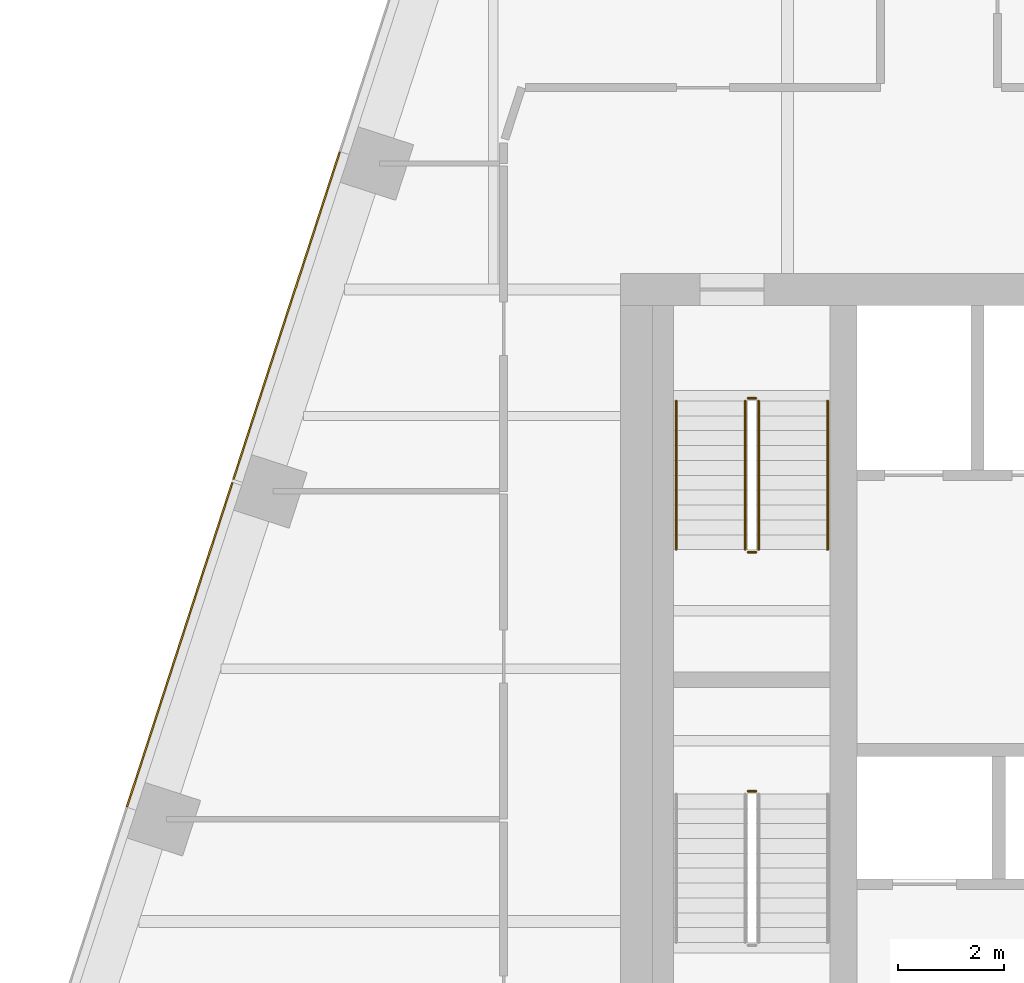
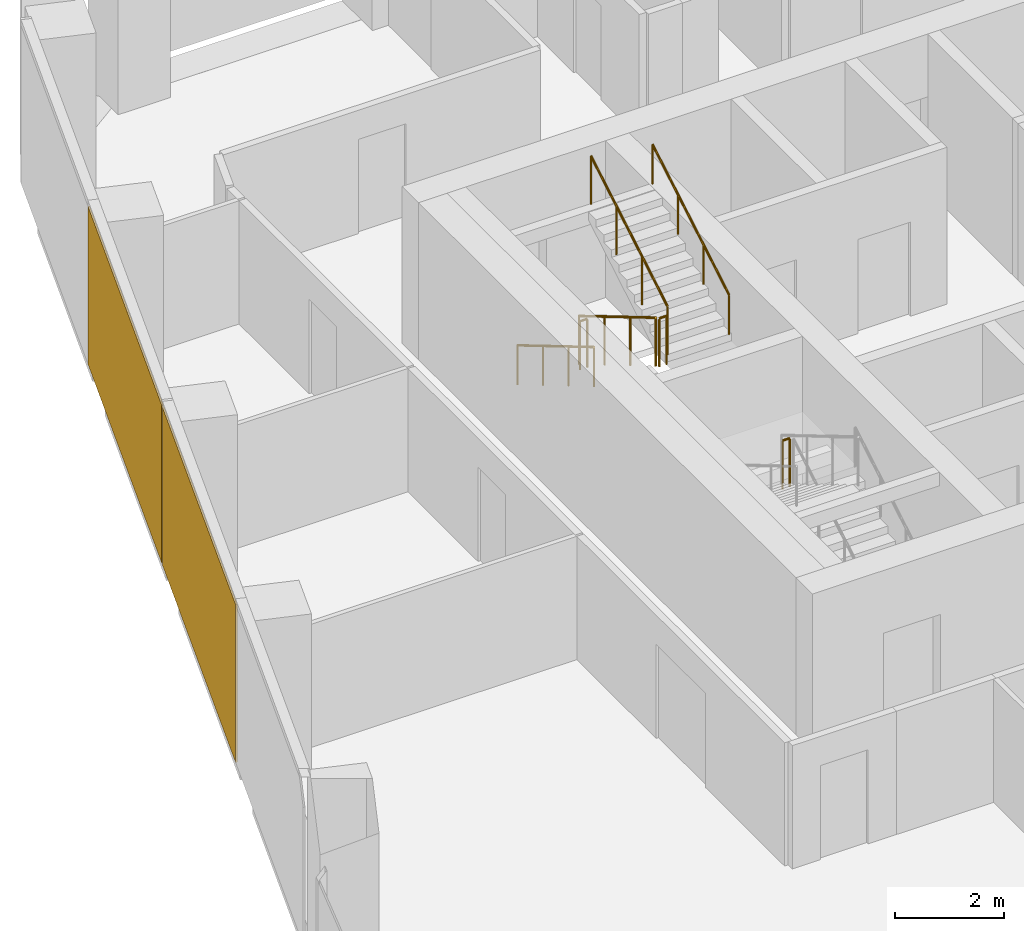
# One storey, part 14 of 15: 7 railings, 2 coverings, 1 element without a shape of its own.
"""IFC4 building model written with IfcOpenShell, lengths in metres."""

from ifc_helpers import new_model, si_unit, direction, frame, origin, origin_2d, place, context, subcontext, project, spatial, rectangle, circle, extrude, material, layer, layer_set, type_object, element, aggregate, save


model = new_model("IFC4")

# Units and contexts
model_context = context("Model", 3, precision=1e-05, world=origin(), true_north=direction((0.0, 1.0)))
body_context = subcontext(model_context, "Body", "Model", "MODEL_VIEW")
ifc_project = project(units=[si_unit("LENGTHUNIT", "METRE"), si_unit("AREAUNIT", "SQUARE_METRE"), si_unit("VOLUMEUNIT", "CUBIC_METRE"), si_unit("PLANEANGLEUNIT", "RADIAN"), si_unit("MASSUNIT", "GRAM", prefix="KILO")], contexts=[model_context])

# Site, building, storey
site_placement = place(None, origin())
site = spatial("IfcSite", under=ifc_project, at=site_placement, CompositionType="ELEMENT")
building_placement = place(site_placement, origin())
building = spatial("IfcBuilding", under=site, at=building_placement, Name="Isthmus Gate Tower", CompositionType="ELEMENT")
storey_placement = place(building_placement, frame((0.0, 0.0, 227.25)))
storey = spatial("IfcBuildingStorey", under=building, at=storey_placement, Name="L57", CompositionType="ELEMENT", Elevation=227.25)

# Curtain wall, coverings
ifc_material_1 = material(Name="Aluminium, pale champagne anodised", Category="aluminium")
ifc_layer_1 = layer(ifc_material_1, 0.199951171875)
ifc_layer_set_1 = layer_set([ifc_layer_1], Name="CW-1 UNITISED CURTAIN WALL 200 DEEP")
curtain_wall_type = type_object("IfcCurtainWallType", Name="CW-1 UNITISED CURTAIN WALL 200 DEEP", PredefinedType="NOTDEFINED", material=ifc_layer_set_1)
curtain_wall_placement = place(storey_placement, origin())
curtain_wall = element("IfcCurtainWall", 1, at=curtain_wall_placement, inside=storey, type_object=curtain_wall_type, Name="CW-1 NW L57", PredefinedType="NOTDEFINED")
ifc_material_2 = material(Name="Aluminium composite panel, pale champagne anodised", Category="aluminium")
ifc_layer_2 = layer(ifc_material_2, 0.031982421875)
ifc_layer_set_2 = layer_set([ifc_layer_2], Name="CW-1 PALE METAL PANEL 32")
covering_type = type_object("IfcCoveringType", Name="CW-1 PALE METAL PANEL 32", PredefinedType="CLADDING", material=ifc_layer_set_2)
covering_1_placement = place(storey_placement, frame((-21.288330078125, 14.210693359375, 0.0), z_axis=(0.0, 0.0, 1.0), x_axis=(-0.309016994375, -0.951056516295, 0.0)))
covering_1 = element("IfcCovering", 2, at=covering_1_placement, type_object=covering_type, Name="CW-1 pale metal panel", PredefinedType="CLADDING", context=body_context, shape_type="SweptSolid", body=[
    extrude(rectangle(XDim=6.491943359375, YDim=0.031982421875, at=origin_2d()), origin(), (0.0, 0.0, 1.0), 3.52001953125),
])
covering_2_placement = place(storey_placement, frame((-23.3037109375, 8.0078125, 0.0), z_axis=(0.0, 0.0, 1.0), x_axis=(-0.309016994375, -0.951056516295, 0.0)))
covering_2 = element("IfcCovering", 3, at=covering_2_placement, type_object=covering_type, Name="CW-1 pale metal panel", PredefinedType="CLADDING", context=body_context, shape_type="SweptSolid", body=[
    extrude(rectangle(XDim=6.431884765625, YDim=0.031982421875, at=origin_2d()), origin(), (0.0, 0.0, 1.0), 3.52001953125),
])
aggregate(curtain_wall, [covering_1, covering_2])

# Railings
ifc_material_3 = material(Name="Stainless steel balustrade", Category="steel")
railing_type_1 = type_object("IfcRailingType", Name="STAIR GUARD 1100", PredefinedType="GUARDRAIL", material=ifc_material_3)
railing_1_placement = place(storey_placement, frame((-12.64990234375, 12.60009765625, 0.166015625)))
element("IfcRailing", 4, at=railing_1_placement, inside=storey, type_object=railing_type_1, Name="L57 ST1 stair guard 1", PredefinedType="GUARDRAIL", context=body_context, shape_type="SweptSolid", body=[
    extrude(circle(Radius=0.02392578125, at=origin_2d()), frame((0.0, 0.0, 1.076171875), z_axis=(0.0, -0.860339051648, 0.50972219513), x_axis=(1.0, 0.0, 0.0)), (0.0, 0.0, 1.0), 3.254638671875),
    extrude(circle(Radius=0.02099609375, at=origin_2d()), origin(), (0.0, 0.0, 1.0), 1.052001953125),
    extrude(circle(Radius=0.02099609375, at=origin_2d()), frame((0.0, -0.933349609375, 0.552978515625)), (0.0, 0.0, 1.0), 1.052001953125),
    extrude(circle(Radius=0.02099609375, at=origin_2d()), frame((0.0, -1.86669921875, 1.10595703125)), (0.0, 0.0, 1.0), 1.052001953125),
    extrude(circle(Radius=0.02099609375, at=origin_2d()), frame((0.0, -2.800048828125, 1.658935546875)), (0.0, 0.0, 1.0), 1.052001953125),
])
railing_2_placement = place(storey_placement, frame((-12.60009765625, 9.75, 1.824951171875)))
element("IfcRailing", 5, at=railing_2_placement, inside=storey, type_object=railing_type_1, Name="L57 ST1 stair guard 2", PredefinedType="GUARDRAIL", context=body_context, shape_type="SweptSolid", body=[
    extrude(circle(Radius=0.02392578125, at=origin_2d()), frame((0.0, 0.0, 1.076171875), z_axis=(1.0, 0.0, 0.0), x_axis=(0.0, 1.0, 0.0)), (0.0, 0.0, 1.0), 0.150146484375),
    extrude(circle(Radius=0.02099609375, at=origin_2d()), origin(), (0.0, 0.0, 1.0), 1.052001953125),
    extrude(circle(Radius=0.02099609375, at=origin_2d()), frame((0.150146484375, 0.0, 0.0)), (0.0, 0.0, 1.0), 1.052001953125),
])
railing_3_placement = place(storey_placement, frame((-12.39990234375, 9.800048828125, 1.990966796875)))
element("IfcRailing", 6, at=railing_3_placement, inside=storey, type_object=railing_type_1, Name="L57 ST1 stair guard 3", PredefinedType="GUARDRAIL", context=body_context, shape_type="SweptSolid", body=[
    extrude(circle(Radius=0.02392578125, at=origin_2d()), frame((0.0, 0.0, 1.076171875), z_axis=(0.0, 0.860339051648, 0.50972219513), x_axis=(-1.0, 0.0, 0.0)), (0.0, 0.0, 1.0), 3.254638671875),
    extrude(circle(Radius=0.02099609375, at=origin_2d()), origin(), (0.0, 0.0, 1.0), 1.052001953125),
    extrude(circle(Radius=0.02099609375, at=origin_2d()), frame((0.0, 0.933349609375, 0.552978515625)), (0.0, 0.0, 1.0), 1.052001953125),
    extrude(circle(Radius=0.02099609375, at=origin_2d()), frame((0.0, 1.86669921875, 1.10595703125)), (0.0, 0.0, 1.0), 1.052001953125),
    extrude(circle(Radius=0.02099609375, at=origin_2d()), frame((0.0, 2.800048828125, 1.658935546875)), (0.0, 0.0, 1.0), 1.052001953125),
])
railing_4_placement = place(storey_placement, frame((-12.60009765625, 12.64990234375, 0.0)))
element("IfcRailing", 7, at=railing_4_placement, inside=storey, type_object=railing_type_1, Name="L57 ST1 stair guard 4", PredefinedType="GUARDRAIL", context=body_context, shape_type="SweptSolid", body=[
    extrude(circle(Radius=0.02392578125, at=origin_2d()), frame((0.0, 0.0, 1.076171875), z_axis=(1.0, 0.0, 0.0), x_axis=(0.0, 1.0, 0.0)), (0.0, 0.0, 1.0), 0.150146484375),
    extrude(circle(Radius=0.02099609375, at=origin_2d()), origin(), (0.0, 0.0, 1.0), 1.052001953125),
    extrude(circle(Radius=0.02099609375, at=origin_2d()), frame((0.150146484375, 0.0, 0.0)), (0.0, 0.0, 1.0), 1.052001953125),
])
railing_5_placement = place(storey_placement, frame((-12.449951171875, 5.25, 1.824951171875)))
element("IfcRailing", 8, at=railing_5_placement, inside=storey, type_object=railing_type_1, Name="L57 ST7 stair guard 2", PredefinedType="GUARDRAIL", context=body_context, shape_type="SweptSolid", body=[
    extrude(circle(Radius=0.02392578125, at=origin_2d()), frame((0.0, 0.0, 1.076171875), z_axis=(-1.0, 0.0, 0.0), x_axis=(0.0, -1.0, 0.0)), (0.0, 0.0, 1.0), 0.150146484375),
    extrude(circle(Radius=0.02099609375, at=origin_2d()), origin(), (0.0, 0.0, 1.0), 1.052001953125),
    extrude(circle(Radius=0.02099609375, at=origin_2d()), frame((-0.150146484375, 0.0, 0.0)), (0.0, 0.0, 1.0), 1.052001953125),
])
ifc_material_4 = material(Name="Stainless steel handrail", Category="steel")
railing_type_2 = type_object("IfcRailingType", Name="STAIR HANDRAIL 900", PredefinedType="HANDRAIL", material=ifc_material_4)
railing_6_placement = place(storey_placement, frame((-13.949951171875, 12.60009765625, 0.166015625)))
element("IfcRailing", 9, at=railing_6_placement, inside=storey, type_object=railing_type_2, Name="L57 ST1 stair handrail 1", PredefinedType="HANDRAIL", context=body_context, shape_type="SweptSolid", body=[
    extrude(circle(Radius=0.02392578125, at=origin_2d()), frame((0.0, 0.0, 0.8759765625), z_axis=(0.0, -0.860339051648, 0.50972219513), x_axis=(1.0, 0.0, 0.0)), (0.0, 0.0, 1.0), 3.254638671875),
    extrude(circle(Radius=0.02099609375, at=origin_2d()), origin(), (0.0, 0.0, 1.0), 0.851806640625),
    extrude(circle(Radius=0.02099609375, at=origin_2d()), frame((0.0, -0.933349609375, 0.552978515625)), (0.0, 0.0, 1.0), 0.851806640625),
    extrude(circle(Radius=0.02099609375, at=origin_2d()), frame((0.0, -1.86669921875, 1.10595703125)), (0.0, 0.0, 1.0), 0.851806640625),
    extrude(circle(Radius=0.02099609375, at=origin_2d()), frame((0.0, -2.800048828125, 1.658935546875)), (0.0, 0.0, 1.0), 0.851806640625),
])
railing_7_placement = place(storey_placement, frame((-11.10009765625, 9.800048828125, 1.990966796875)))
element("IfcRailing", 10, at=railing_7_placement, inside=storey, type_object=railing_type_2, Name="L57 ST1 stair handrail 2", PredefinedType="HANDRAIL", context=body_context, shape_type="SweptSolid", body=[
    extrude(circle(Radius=0.02392578125, at=origin_2d()), frame((0.0, 0.0, 0.8759765625), z_axis=(0.0, 0.860339051648, 0.50972219513), x_axis=(-1.0, 0.0, 0.0)), (0.0, 0.0, 1.0), 3.254638671875),
    extrude(circle(Radius=0.02099609375, at=origin_2d()), origin(), (0.0, 0.0, 1.0), 0.851806640625),
    extrude(circle(Radius=0.02099609375, at=origin_2d()), frame((0.0, 0.933349609375, 0.552978515625)), (0.0, 0.0, 1.0), 0.851806640625),
    extrude(circle(Radius=0.02099609375, at=origin_2d()), frame((0.0, 1.86669921875, 1.10595703125)), (0.0, 0.0, 1.0), 0.851806640625),
    extrude(circle(Radius=0.02099609375, at=origin_2d()), frame((0.0, 2.800048828125, 1.658935546875)), (0.0, 0.0, 1.0), 0.851806640625),
])

save(model, "model.ifc")
